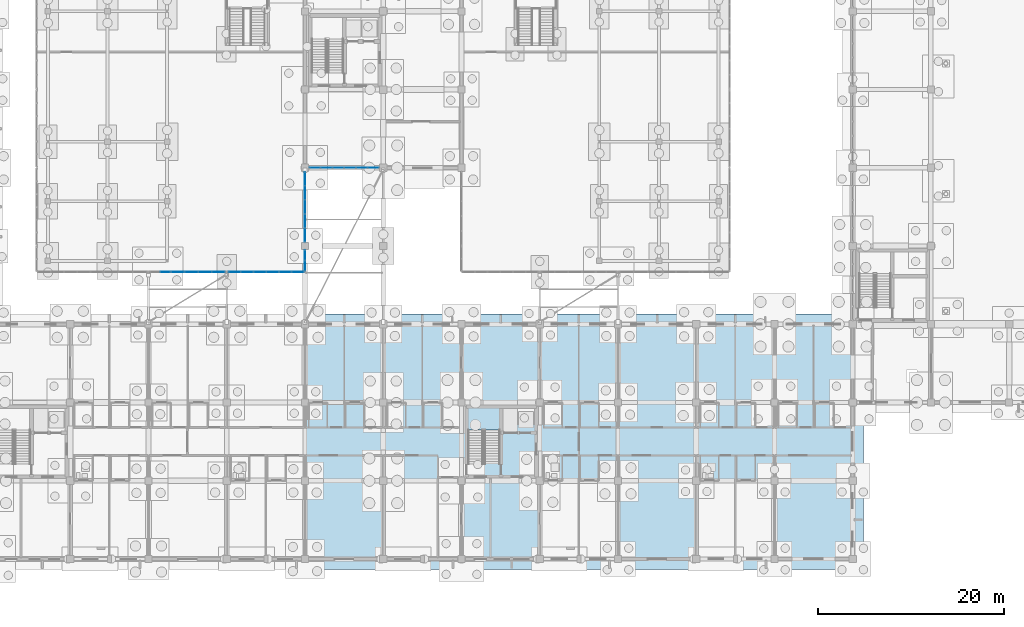
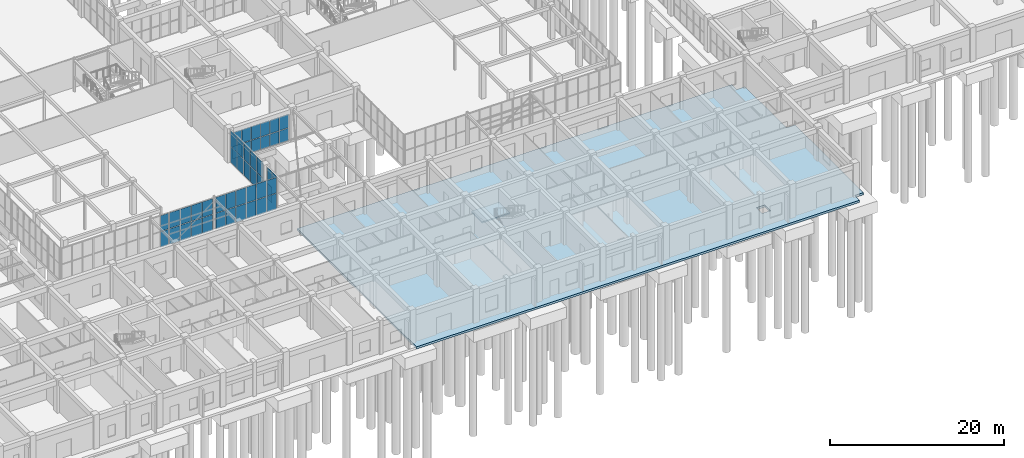
# One storey, part 137 of 192: 48 plates, 2 slabs, 7 elements without a shape of their own.
"""IFC4 building model written with IfcOpenShell, lengths in metres."""

from ifc_helpers import new_model, si_unit, direction, frame, origin, origin_2d, place, context, subcontext, project, spatial, polyline, rectangle, outline, extrude, material, layer, layer_set, type_object, element, aggregate, save


model = new_model("IFC4")

# Units and contexts
model_context = context("Model", 3, precision=1e-05, world=origin(), true_north=direction((0.0, 1.0)))
body_context = subcontext(model_context, "Body", "Model", "MODEL_VIEW")
ifc_project = project(units=[si_unit("LENGTHUNIT", "METRE"), si_unit("AREAUNIT", "SQUARE_METRE"), si_unit("VOLUMEUNIT", "CUBIC_METRE"), si_unit("PLANEANGLEUNIT", "RADIAN"), si_unit("MASSUNIT", "GRAM", prefix="KILO")], contexts=[model_context])

# Site, building, storey
site_placement = place(None, origin())
site = spatial("IfcSite", under=ifc_project, at=site_placement, CompositionType="ELEMENT")
building_placement = place(site_placement, origin())
building = spatial("IfcBuilding", under=site, at=building_placement, Name="Trelvath General Hospital", CompositionType="ELEMENT")
storey_placement = place(building_placement, origin())
storey = spatial("IfcBuildingStorey", under=building, at=storey_placement, Name="L00", CompositionType="ELEMENT", Elevation=0.0)

# Slab
ifc_material_1 = material(Name="Concrete C35/45", Category="concrete")
ifc_layer_1 = layer(ifc_material_1, 0.300048828125)
ifc_layer_set_1 = layer_set([ifc_layer_1], Name="Concrete C35/45")
slab_type_1 = type_object("IfcSlabType", Name="BaseSlab RC300", PredefinedType="BASESLAB", material=ifc_layer_set_1)
slab_1_placement = place(storey_placement, frame((0.0, 0.0, -0.300048828125)))
element("IfcSlab", 1, at=slab_1_placement, inside=storey, type_object=slab_type_1, Name="Floor Slab SL-L00-V6-S1", PredefinedType="BASESLAB", context=body_context, shape_type="SweptSolid", body=[
    extrude(outline(polyline([(75.6201171875, -1.10009765625), (75.6201171875, 26.300048828125), (133.280029296875, 26.300048828125), (133.280029296875, 25.199951171875), (134.3798828125, 25.199951171875), (134.3798828125, 16.780029296875), (134.39990234375, 16.780029296875), (134.39990234375, 15.679931640625), (135.550048828125, 15.679931640625), (135.550048828125, 0.0), (134.39990234375, 0.0), (134.39990234375, -1.10009765625), (75.6201171875, -1.10009765625)]), holes=[polyline([(123.39990234375, 2.199951171875), (124.5, 2.199951171875), (124.5, 3.5), (123.39990234375, 3.5), (123.39990234375, 2.199951171875)])]), origin(), (0.0, 0.0, 1.0), 0.300048828125),
])

# Curtain wall, plates
ifc_material_2 = material(Name="Anodised aluminium and low-E glass", Category="aluminium")
ifc_layer_2 = layer(ifc_material_2, 0.139892578125)
ifc_layer_set_2 = layer_set([ifc_layer_2], Name="Anodised aluminium and low-E glass")
curtain_wall_type_1 = type_object("IfcCurtainWallType", Name="CW CrystalCube 223 456 14", PredefinedType="USERDEFINED", material=ifc_layer_set_2)
curtain_wall_1_placement = place(storey_placement, origin())
curtain_wall_1 = element("IfcCurtainWall", 2, at=curtain_wall_1_placement, inside=storey, type_object=curtain_wall_type_1, Name="Crystal Cube Curtain Wall CUBE-W-T0 S3 L00", ObjectType="Unitised Glazed Curtain Wall", PredefinedType="USERDEFINED")
ifc_material_3 = material(Name="Low-E laminated glass", Category="glass")
ifc_layer_3 = layer(ifc_material_3, 0.028076171875)
ifc_layer_set_3 = layer_set([ifc_layer_3], Name="Low-E laminated glass")
plate_type_1 = type_object("IfcPlateType", Name="CurtainPanel Glass28", PredefinedType="CURTAIN_PANEL", material=ifc_layer_set_3)
plate_1_placement = place(storey_placement, frame((60.607421875, 30.800048828125, 0.06005859375), z_axis=(0.0, 0.0, 1.0), x_axis=(-1.0, 0.0, 0.0)))
plate_1 = element("IfcPlate", 3, at=plate_1_placement, type_object=plate_type_1, Name="CW-086 panel 1.1", PredefinedType="CURTAIN_PANEL", context=body_context, shape_type="SweptSolid", body=[
    extrude(rectangle(XDim=1.02490234375, YDim=0.028076171875, at=origin_2d()), origin(), (0.0, 0.0, 1.0), 2.18994140625),
])
plate_2_placement = place(storey_placement, frame((60.607421875, 30.800048828125, 2.31005859375), z_axis=(0.0, 0.0, 1.0), x_axis=(-1.0, 0.0, 0.0)))
plate_2 = element("IfcPlate", 4, at=plate_2_placement, type_object=plate_type_1, Name="CW-086 panel 1.2", PredefinedType="CURTAIN_PANEL", context=body_context, shape_type="SweptSolid", body=[
    extrude(rectangle(XDim=1.02490234375, YDim=0.028076171875, at=origin_2d()), origin(), (0.0, 0.0, 1.0), 2.18994140625),
])
aggregate(curtain_wall_1, [plate_1, plate_2])

ifc_material_4 = material(Name="Anodised aluminium and low-E glass", Category="aluminium")
ifc_layer_4 = layer(ifc_material_4, 0.139892578125)
ifc_layer_set_4 = layer_set([ifc_layer_4], Name="Anodised aluminium and low-E glass")
curtain_wall_type_2 = type_object("IfcCurtainWallType", Name="CW CrystalCube 583 456 14", PredefinedType="USERDEFINED", material=ifc_layer_set_4)
curtain_wall_2_placement = place(storey_placement, origin())
curtain_wall_2 = element("IfcCurtainWall", 5, at=curtain_wall_2_placement, inside=storey, type_object=curtain_wall_type_2, Name="Crystal Cube Curtain Wall CUBE-W-T0 S4 L00", ObjectType="Unitised Glazed Curtain Wall", PredefinedType="USERDEFINED")
plate_3_placement = place(storey_placement, frame((66.30615234375, 30.800048828125, 0.06005859375), z_axis=(0.0, 0.0, 1.0), x_axis=(-1.0, 0.0, 0.0)))
plate_3 = element("IfcPlate", 6, at=plate_3_placement, type_object=plate_type_1, Name="CW-087 panel 1.1", PredefinedType="CURTAIN_PANEL", context=body_context, shape_type="SweptSolid", body=[
    extrude(rectangle(XDim=1.367431640625, YDim=0.028076171875, at=origin_2d()), origin(), (0.0, 0.0, 1.0), 2.18994140625),
])
plate_4_placement = place(storey_placement, frame((66.30615234375, 30.800048828125, 2.31005859375), z_axis=(0.0, 0.0, 1.0), x_axis=(-1.0, 0.0, 0.0)))
plate_4 = element("IfcPlate", 7, at=plate_4_placement, type_object=plate_type_1, Name="CW-087 panel 1.2", PredefinedType="CURTAIN_PANEL", context=body_context, shape_type="SweptSolid", body=[
    extrude(rectangle(XDim=1.367431640625, YDim=0.028076171875, at=origin_2d()), origin(), (0.0, 0.0, 1.0), 2.18994140625),
])
plate_5_placement = place(storey_placement, frame((64.86376953125, 30.800048828125, 0.06005859375), z_axis=(0.0, 0.0, 1.0), x_axis=(-1.0, 0.0, 0.0)))
plate_5 = element("IfcPlate", 8, at=plate_5_placement, type_object=plate_type_1, Name="CW-087 panel 2.1", PredefinedType="CURTAIN_PANEL", context=body_context, shape_type="SweptSolid", body=[
    extrude(rectangle(XDim=1.3974609375, YDim=0.028076171875, at=origin_2d()), origin(), (0.0, 0.0, 1.0), 2.18994140625),
])
plate_6_placement = place(storey_placement, frame((64.86376953125, 30.800048828125, 2.31005859375), z_axis=(0.0, 0.0, 1.0), x_axis=(-1.0, 0.0, 0.0)))
plate_6 = element("IfcPlate", 9, at=plate_6_placement, type_object=plate_type_1, Name="CW-087 panel 2.2", PredefinedType="CURTAIN_PANEL", context=body_context, shape_type="SweptSolid", body=[
    extrude(rectangle(XDim=1.3974609375, YDim=0.028076171875, at=origin_2d()), origin(), (0.0, 0.0, 1.0), 2.18994140625),
])
plate_7_placement = place(storey_placement, frame((63.40625, 30.800048828125, 0.06005859375), z_axis=(0.0, 0.0, 1.0), x_axis=(-1.0, 0.0, 0.0)))
plate_7 = element("IfcPlate", 10, at=plate_7_placement, type_object=plate_type_1, Name="CW-087 panel 3.1", PredefinedType="CURTAIN_PANEL", context=body_context, shape_type="SweptSolid", body=[
    extrude(rectangle(XDim=1.3974609375, YDim=0.028076171875, at=origin_2d()), origin(), (0.0, 0.0, 1.0), 2.18994140625),
])
plate_8_placement = place(storey_placement, frame((63.40625, 30.800048828125, 2.31005859375), z_axis=(0.0, 0.0, 1.0), x_axis=(-1.0, 0.0, 0.0)))
plate_8 = element("IfcPlate", 11, at=plate_8_placement, type_object=plate_type_1, Name="CW-087 panel 3.2", PredefinedType="CURTAIN_PANEL", context=body_context, shape_type="SweptSolid", body=[
    extrude(rectangle(XDim=1.3974609375, YDim=0.028076171875, at=origin_2d()), origin(), (0.0, 0.0, 1.0), 2.18994140625),
])
plate_9_placement = place(storey_placement, frame((61.9638671875, 30.800048828125, 0.06005859375), z_axis=(0.0, 0.0, 1.0), x_axis=(-1.0, 0.0, 0.0)))
plate_9 = element("IfcPlate", 12, at=plate_9_placement, type_object=plate_type_1, Name="CW-087 panel 4.1", PredefinedType="CURTAIN_PANEL", context=body_context, shape_type="SweptSolid", body=[
    extrude(rectangle(XDim=1.367431640625, YDim=0.028076171875, at=origin_2d()), origin(), (0.0, 0.0, 1.0), 2.18994140625),
])
plate_10_placement = place(storey_placement, frame((61.9638671875, 30.800048828125, 2.31005859375), z_axis=(0.0, 0.0, 1.0), x_axis=(-1.0, 0.0, 0.0)))
plate_10 = element("IfcPlate", 13, at=plate_10_placement, type_object=plate_type_1, Name="CW-087 panel 4.2", PredefinedType="CURTAIN_PANEL", context=body_context, shape_type="SweptSolid", body=[
    extrude(rectangle(XDim=1.367431640625, YDim=0.028076171875, at=origin_2d()), origin(), (0.0, 0.0, 1.0), 2.18994140625),
])
aggregate(curtain_wall_2, [plate_3, plate_4, plate_5, plate_6, plate_7, plate_8, plate_9, plate_10])

ifc_material_5 = material(Name="Anodised aluminium and low-E glass", Category="aluminium")
ifc_layer_5 = layer(ifc_material_5, 0.139892578125)
ifc_layer_set_5 = layer_set([ifc_layer_5], Name="Anodised aluminium and low-E glass")
curtain_wall_type_3 = type_object("IfcCurtainWallType", Name="CW CrystalCube 817 456 14", PredefinedType="USERDEFINED", material=ifc_layer_set_5)
curtain_wall_3_placement = place(storey_placement, origin())
curtain_wall_3 = element("IfcCurtainWall", 14, at=curtain_wall_3_placement, inside=storey, type_object=curtain_wall_type_3, Name="Crystal Cube Curtain Wall CUBE-W-T0 S5 L00", ObjectType="Unitised Glazed Curtain Wall", PredefinedType="USERDEFINED")
plate_11_placement = place(storey_placement, frame((74.82421875, 30.800048828125, 0.06005859375), z_axis=(0.0, 0.0, 1.0), x_axis=(-1.0, 0.0, 0.0)))
plate_11 = element("IfcPlate", 15, at=plate_11_placement, type_object=plate_type_1, Name="CW-088 panel 1.1", PredefinedType="CURTAIN_PANEL", context=body_context, shape_type="SweptSolid", body=[
    extrude(rectangle(XDim=1.271728515625, YDim=0.028076171875, at=origin_2d()), origin(), (0.0, 0.0, 1.0), 2.18994140625),
])
plate_12_placement = place(storey_placement, frame((74.82421875, 30.800048828125, 2.31005859375), z_axis=(0.0, 0.0, 1.0), x_axis=(-1.0, 0.0, 0.0)))
plate_12 = element("IfcPlate", 16, at=plate_12_placement, type_object=plate_type_1, Name="CW-088 panel 1.2", PredefinedType="CURTAIN_PANEL", context=body_context, shape_type="SweptSolid", body=[
    extrude(rectangle(XDim=1.271728515625, YDim=0.028076171875, at=origin_2d()), origin(), (0.0, 0.0, 1.0), 2.18994140625),
])
plate_13_placement = place(storey_placement, frame((73.4775390625, 30.800048828125, 0.06005859375), z_axis=(0.0, 0.0, 1.0), x_axis=(-1.0, 0.0, 0.0)))
plate_13 = element("IfcPlate", 17, at=plate_13_placement, type_object=plate_type_1, Name="CW-088 panel 2.1", PredefinedType="CURTAIN_PANEL", context=body_context, shape_type="SweptSolid", body=[
    extrude(rectangle(XDim=1.3017578125, YDim=0.028076171875, at=origin_2d()), origin(), (0.0, 0.0, 1.0), 2.18994140625),
])
plate_14_placement = place(storey_placement, frame((73.4775390625, 30.800048828125, 2.31005859375), z_axis=(0.0, 0.0, 1.0), x_axis=(-1.0, 0.0, 0.0)))
plate_14 = element("IfcPlate", 18, at=plate_14_placement, type_object=plate_type_1, Name="CW-088 panel 2.2", PredefinedType="CURTAIN_PANEL", context=body_context, shape_type="SweptSolid", body=[
    extrude(rectangle(XDim=1.3017578125, YDim=0.028076171875, at=origin_2d()), origin(), (0.0, 0.0, 1.0), 2.18994140625),
])
plate_15_placement = place(storey_placement, frame((72.11572265625, 30.800048828125, 0.06005859375), z_axis=(0.0, 0.0, 1.0), x_axis=(-1.0, 0.0, 0.0)))
plate_15 = element("IfcPlate", 19, at=plate_15_placement, type_object=plate_type_1, Name="CW-088 panel 3.1", PredefinedType="CURTAIN_PANEL", context=body_context, shape_type="SweptSolid", body=[
    extrude(rectangle(XDim=1.3017578125, YDim=0.028076171875, at=origin_2d()), origin(), (0.0, 0.0, 1.0), 2.18994140625),
])
plate_16_placement = place(storey_placement, frame((72.11572265625, 30.800048828125, 2.31005859375), z_axis=(0.0, 0.0, 1.0), x_axis=(-1.0, 0.0, 0.0)))
plate_16 = element("IfcPlate", 20, at=plate_16_placement, type_object=plate_type_1, Name="CW-088 panel 3.2", PredefinedType="CURTAIN_PANEL", context=body_context, shape_type="SweptSolid", body=[
    extrude(rectangle(XDim=1.3017578125, YDim=0.028076171875, at=origin_2d()), origin(), (0.0, 0.0, 1.0), 2.18994140625),
])
plate_17_placement = place(storey_placement, frame((70.754150390625, 30.800048828125, 0.06005859375), z_axis=(0.0, 0.0, 1.0), x_axis=(-1.0, 0.0, 0.0)))
plate_17 = element("IfcPlate", 21, at=plate_17_placement, type_object=plate_type_1, Name="CW-088 panel 4.1", PredefinedType="CURTAIN_PANEL", context=body_context, shape_type="SweptSolid", body=[
    extrude(rectangle(XDim=1.3017578125, YDim=0.028076171875, at=origin_2d()), origin(), (0.0, 0.0, 1.0), 2.18994140625),
])
plate_18_placement = place(storey_placement, frame((70.754150390625, 30.800048828125, 2.31005859375), z_axis=(0.0, 0.0, 1.0), x_axis=(-1.0, 0.0, 0.0)))
plate_18 = element("IfcPlate", 22, at=plate_18_placement, type_object=plate_type_1, Name="CW-088 panel 4.2", PredefinedType="CURTAIN_PANEL", context=body_context, shape_type="SweptSolid", body=[
    extrude(rectangle(XDim=1.3017578125, YDim=0.028076171875, at=origin_2d()), origin(), (0.0, 0.0, 1.0), 2.18994140625),
])
plate_19_placement = place(storey_placement, frame((69.392578125, 30.800048828125, 0.06005859375), z_axis=(0.0, 0.0, 1.0), x_axis=(-1.0, 0.0, 0.0)))
plate_19 = element("IfcPlate", 23, at=plate_19_placement, type_object=plate_type_1, Name="CW-088 panel 5.1", PredefinedType="CURTAIN_PANEL", context=body_context, shape_type="SweptSolid", body=[
    extrude(rectangle(XDim=1.3017578125, YDim=0.028076171875, at=origin_2d()), origin(), (0.0, 0.0, 1.0), 2.18994140625),
])
plate_20_placement = place(storey_placement, frame((69.392578125, 30.800048828125, 2.31005859375), z_axis=(0.0, 0.0, 1.0), x_axis=(-1.0, 0.0, 0.0)))
plate_20 = element("IfcPlate", 24, at=plate_20_placement, type_object=plate_type_1, Name="CW-088 panel 5.2", PredefinedType="CURTAIN_PANEL", context=body_context, shape_type="SweptSolid", body=[
    extrude(rectangle(XDim=1.3017578125, YDim=0.028076171875, at=origin_2d()), origin(), (0.0, 0.0, 1.0), 2.18994140625),
])
plate_21_placement = place(storey_placement, frame((68.0458984375, 30.800048828125, 0.06005859375), z_axis=(0.0, 0.0, 1.0), x_axis=(-1.0, 0.0, 0.0)))
plate_21 = element("IfcPlate", 25, at=plate_21_placement, type_object=plate_type_1, Name="CW-088 panel 6.1", PredefinedType="CURTAIN_PANEL", context=body_context, shape_type="SweptSolid", body=[
    extrude(rectangle(XDim=1.271728515625, YDim=0.028076171875, at=origin_2d()), origin(), (0.0, 0.0, 1.0), 2.18994140625),
])
plate_22_placement = place(storey_placement, frame((68.0458984375, 30.800048828125, 2.31005859375), z_axis=(0.0, 0.0, 1.0), x_axis=(-1.0, 0.0, 0.0)))
plate_22 = element("IfcPlate", 26, at=plate_22_placement, type_object=plate_type_1, Name="CW-088 panel 6.2", PredefinedType="CURTAIN_PANEL", context=body_context, shape_type="SweptSolid", body=[
    extrude(rectangle(XDim=1.271728515625, YDim=0.028076171875, at=origin_2d()), origin(), (0.0, 0.0, 1.0), 2.18994140625),
])
aggregate(curtain_wall_3, [plate_11, plate_12, plate_13, plate_14, plate_15, plate_16, plate_17, plate_18, plate_19, plate_20, plate_21, plate_22])

ifc_material_6 = material(Name="Anodised aluminium and low-E glass", Category="aluminium")
ifc_layer_6 = layer(ifc_material_6, 0.139892578125)
ifc_layer_set_6 = layer_set([ifc_layer_6], Name="Anodised aluminium and low-E glass")
curtain_wall_type_4 = type_object("IfcCurtainWallType", Name="CW CrystalCube 231 456 14", PredefinedType="USERDEFINED", material=ifc_layer_set_6)
curtain_wall_4_placement = place(storey_placement, origin())
curtain_wall_4 = element("IfcCurtainWall", 27, at=curtain_wall_4_placement, inside=storey, type_object=curtain_wall_type_4, Name="Crystal Cube Curtain Wall CUBE-W-T0 E1 L00", ObjectType="Unitised Glazed Curtain Wall", PredefinedType="USERDEFINED")
plate_23_placement = place(storey_placement, frame((75.60009765625, 32.597412109375, 0.06005859375), z_axis=(0.0, 0.0, 1.0), x_axis=(0.0, -1.0, 0.0)))
plate_23 = element("IfcPlate", 28, at=plate_23_placement, type_object=plate_type_1, Name="CW-095 panel 1.1", PredefinedType="CURTAIN_PANEL", context=body_context, shape_type="SweptSolid", body=[
    extrude(rectangle(XDim=1.06494140625, YDim=0.028076171875, at=origin_2d()), origin(), (0.0, 0.0, 1.0), 2.18994140625),
])
plate_24_placement = place(storey_placement, frame((75.60009765625, 32.597412109375, 2.31005859375), z_axis=(0.0, 0.0, 1.0), x_axis=(0.0, -1.0, 0.0)))
plate_24 = element("IfcPlate", 29, at=plate_24_placement, type_object=plate_type_1, Name="CW-095 panel 1.2", PredefinedType="CURTAIN_PANEL", context=body_context, shape_type="SweptSolid", body=[
    extrude(rectangle(XDim=1.06494140625, YDim=0.028076171875, at=origin_2d()), origin(), (0.0, 0.0, 1.0), 2.18994140625),
])
plate_25_placement = place(storey_placement, frame((75.60009765625, 31.472412109375, 0.06005859375), z_axis=(0.0, 0.0, 1.0), x_axis=(0.0, -1.0, 0.0)))
plate_25 = element("IfcPlate", 30, at=plate_25_placement, type_object=plate_type_1, Name="CW-095 panel 2.1", PredefinedType="CURTAIN_PANEL", context=body_context, shape_type="SweptSolid", body=[
    extrude(rectangle(XDim=1.06494140625, YDim=0.028076171875, at=origin_2d()), origin(), (0.0, 0.0, 1.0), 2.18994140625),
])
plate_26_placement = place(storey_placement, frame((75.60009765625, 31.472412109375, 2.31005859375), z_axis=(0.0, 0.0, 1.0), x_axis=(0.0, -1.0, 0.0)))
plate_26 = element("IfcPlate", 31, at=plate_26_placement, type_object=plate_type_1, Name="CW-095 panel 2.2", PredefinedType="CURTAIN_PANEL", context=body_context, shape_type="SweptSolid", body=[
    extrude(rectangle(XDim=1.06494140625, YDim=0.028076171875, at=origin_2d()), origin(), (0.0, 0.0, 1.0), 2.18994140625),
])
aggregate(curtain_wall_4, [plate_23, plate_24, plate_25, plate_26])

ifc_material_7 = material(Name="Anodised aluminium and low-E glass", Category="aluminium")
ifc_layer_7 = layer(ifc_material_7, 0.139892578125)
ifc_layer_set_7 = layer_set([ifc_layer_7], Name="Anodised aluminium and low-E glass")
curtain_wall_type_5 = type_object("IfcCurtainWallType", Name="CW CrystalCube 758 456 14", PredefinedType="USERDEFINED", material=ifc_layer_set_7)
curtain_wall_5_placement = place(storey_placement, origin())
curtain_wall_5 = element("IfcCurtainWall", 32, at=curtain_wall_5_placement, inside=storey, type_object=curtain_wall_type_5, Name="Crystal Cube Curtain Wall CUBE-W-T0 E2 L00", ObjectType="Unitised Glazed Curtain Wall", PredefinedType="USERDEFINED")
plate_27_placement = place(storey_placement, frame((75.60009765625, 40.81689453125, 0.06005859375), z_axis=(0.0, 0.0, 1.0), x_axis=(0.0, -1.0, 0.0)))
plate_27 = element("IfcPlate", 33, at=plate_27_placement, type_object=plate_type_1, Name="CW-097 panel 1.1", PredefinedType="CURTAIN_PANEL", context=body_context, shape_type="SweptSolid", body=[
    extrude(rectangle(XDim=1.426025390625, YDim=0.028076171875, at=origin_2d()), origin(), (0.0, 0.0, 1.0), 2.18994140625),
])
plate_28_placement = place(storey_placement, frame((75.60009765625, 40.81689453125, 2.31005859375), z_axis=(0.0, 0.0, 1.0), x_axis=(0.0, -1.0, 0.0)))
plate_28 = element("IfcPlate", 34, at=plate_28_placement, type_object=plate_type_1, Name="CW-097 panel 1.2", PredefinedType="CURTAIN_PANEL", context=body_context, shape_type="SweptSolid", body=[
    extrude(rectangle(XDim=1.426025390625, YDim=0.028076171875, at=origin_2d()), origin(), (0.0, 0.0, 1.0), 2.18994140625),
])
plate_29_placement = place(storey_placement, frame((75.60009765625, 39.31591796875, 0.06005859375), z_axis=(0.0, 0.0, 1.0), x_axis=(0.0, -1.0, 0.0)))
plate_29 = element("IfcPlate", 35, at=plate_29_placement, type_object=plate_type_1, Name="CW-097 panel 2.1", PredefinedType="CURTAIN_PANEL", context=body_context, shape_type="SweptSolid", body=[
    extrude(rectangle(XDim=1.4560546875, YDim=0.028076171875, at=origin_2d()), origin(), (0.0, 0.0, 1.0), 2.18994140625),
])
plate_30_placement = place(storey_placement, frame((75.60009765625, 39.31591796875, 2.31005859375), z_axis=(0.0, 0.0, 1.0), x_axis=(0.0, -1.0, 0.0)))
plate_30 = element("IfcPlate", 36, at=plate_30_placement, type_object=plate_type_1, Name="CW-097 panel 2.2", PredefinedType="CURTAIN_PANEL", context=body_context, shape_type="SweptSolid", body=[
    extrude(rectangle(XDim=1.4560546875, YDim=0.028076171875, at=origin_2d()), origin(), (0.0, 0.0, 1.0), 2.18994140625),
])
plate_31_placement = place(storey_placement, frame((75.60009765625, 37.800048828125, 0.06005859375), z_axis=(0.0, 0.0, 1.0), x_axis=(0.0, -1.0, 0.0)))
plate_31 = element("IfcPlate", 37, at=plate_31_placement, type_object=plate_type_1, Name="CW-097 panel 3.1", PredefinedType="CURTAIN_PANEL", context=body_context, shape_type="SweptSolid", body=[
    extrude(rectangle(XDim=1.4560546875, YDim=0.028076171875, at=origin_2d()), origin(), (0.0, 0.0, 1.0), 2.18994140625),
])
plate_32_placement = place(storey_placement, frame((75.60009765625, 37.800048828125, 2.31005859375), z_axis=(0.0, 0.0, 1.0), x_axis=(0.0, -1.0, 0.0)))
plate_32 = element("IfcPlate", 38, at=plate_32_placement, type_object=plate_type_1, Name="CW-097 panel 3.2", PredefinedType="CURTAIN_PANEL", context=body_context, shape_type="SweptSolid", body=[
    extrude(rectangle(XDim=1.4560546875, YDim=0.028076171875, at=origin_2d()), origin(), (0.0, 0.0, 1.0), 2.18994140625),
])
plate_33_placement = place(storey_placement, frame((75.60009765625, 36.283935546875, 0.06005859375), z_axis=(0.0, 0.0, 1.0), x_axis=(0.0, -1.0, 0.0)))
plate_33 = element("IfcPlate", 39, at=plate_33_placement, type_object=plate_type_1, Name="CW-097 panel 4.1", PredefinedType="CURTAIN_PANEL", context=body_context, shape_type="SweptSolid", body=[
    extrude(rectangle(XDim=1.4560546875, YDim=0.028076171875, at=origin_2d()), origin(), (0.0, 0.0, 1.0), 2.18994140625),
])
plate_34_placement = place(storey_placement, frame((75.60009765625, 36.283935546875, 2.31005859375), z_axis=(0.0, 0.0, 1.0), x_axis=(0.0, -1.0, 0.0)))
plate_34 = element("IfcPlate", 40, at=plate_34_placement, type_object=plate_type_1, Name="CW-097 panel 4.2", PredefinedType="CURTAIN_PANEL", context=body_context, shape_type="SweptSolid", body=[
    extrude(rectangle(XDim=1.4560546875, YDim=0.028076171875, at=origin_2d()), origin(), (0.0, 0.0, 1.0), 2.18994140625),
])
plate_35_placement = place(storey_placement, frame((75.60009765625, 34.782958984375, 0.06005859375), z_axis=(0.0, 0.0, 1.0), x_axis=(0.0, -1.0, 0.0)))
plate_35 = element("IfcPlate", 41, at=plate_35_placement, type_object=plate_type_1, Name="CW-097 panel 5.1", PredefinedType="CURTAIN_PANEL", context=body_context, shape_type="SweptSolid", body=[
    extrude(rectangle(XDim=1.426025390625, YDim=0.028076171875, at=origin_2d()), origin(), (0.0, 0.0, 1.0), 2.18994140625),
])
plate_36_placement = place(storey_placement, frame((75.60009765625, 34.782958984375, 2.31005859375), z_axis=(0.0, 0.0, 1.0), x_axis=(0.0, -1.0, 0.0)))
plate_36 = element("IfcPlate", 42, at=plate_36_placement, type_object=plate_type_1, Name="CW-097 panel 5.2", PredefinedType="CURTAIN_PANEL", context=body_context, shape_type="SweptSolid", body=[
    extrude(rectangle(XDim=1.426025390625, YDim=0.028076171875, at=origin_2d()), origin(), (0.0, 0.0, 1.0), 2.18994140625),
])
aggregate(curtain_wall_5, [plate_27, plate_28, plate_29, plate_30, plate_31, plate_32, plate_33, plate_34, plate_35, plate_36])

ifc_material_8 = material(Name="Anodised aluminium and low-E glass", Category="aluminium")
ifc_layer_8 = layer(ifc_material_8, 0.159912109375)
ifc_layer_set_8 = layer_set([ifc_layer_8], Name="Anodised aluminium and low-E glass")
curtain_wall_type_6 = type_object("IfcCurtainWallType", Name="CW Facade 753 382 16", PredefinedType="USERDEFINED", material=ifc_layer_set_8)
curtain_wall_6_placement = place(storey_placement, origin())
curtain_wall_6 = element("IfcCurtainWall", 43, at=curtain_wall_6_placement, inside=storey, type_object=curtain_wall_type_6, Name="Facade Curtain Wall CW-001", ObjectType="Unitised Glazed Curtain Wall", PredefinedType="USERDEFINED")
ifc_material_9 = material(Name="Low-E laminated glass", Category="glass")
ifc_layer_9 = layer(ifc_material_9, 0.035888671875)
ifc_layer_set_9 = layer_set([ifc_layer_9], Name="Low-E laminated glass")
plate_type_2 = type_object("IfcPlateType", Name="CurtainPanel Glass36", PredefinedType="CURTAIN_PANEL", material=ifc_layer_set_9)
plate_37_placement = place(storey_placement, frame((82.922607421875, 42.0, 0.06005859375), z_axis=(0.0, 0.0, 1.0), x_axis=(-1.0, 0.0, 0.0)))
plate_37 = element("IfcPlate", 44, at=plate_37_placement, type_object=plate_type_2, Name="CW-001 panel 1.1", PredefinedType="CURTAIN_PANEL", context=body_context, shape_type="SweptSolid", body=[
    extrude(rectangle(XDim=1.1650390625, YDim=0.035888671875, at=origin_2d()), origin(), (0.0, 0.0, 1.0), 1.743896484375),
])
plate_38_placement = place(storey_placement, frame((82.922607421875, 42.0, 1.864013671875), z_axis=(0.0, 0.0, 1.0), x_axis=(-1.0, 0.0, 0.0)))
plate_38 = element("IfcPlate", 45, at=plate_38_placement, type_object=plate_type_2, Name="CW-001 panel 1.2", PredefinedType="CURTAIN_PANEL", context=body_context, shape_type="SweptSolid", body=[
    extrude(rectangle(XDim=1.1650390625, YDim=0.035888671875, at=origin_2d()), origin(), (0.0, 0.0, 1.0), 1.89599609375),
])
plate_39_placement = place(storey_placement, frame((81.6826171875, 42.0, 0.06005859375), z_axis=(0.0, 0.0, 1.0), x_axis=(-1.0, 0.0, 0.0)))
plate_39 = element("IfcPlate", 46, at=plate_39_placement, type_object=plate_type_2, Name="CW-001 panel 2.1", PredefinedType="CURTAIN_PANEL", context=body_context, shape_type="SweptSolid", body=[
    extrude(rectangle(XDim=1.195068359375, YDim=0.035888671875, at=origin_2d()), origin(), (0.0, 0.0, 1.0), 1.743896484375),
])
plate_40_placement = place(storey_placement, frame((81.6826171875, 42.0, 1.864013671875), z_axis=(0.0, 0.0, 1.0), x_axis=(-1.0, 0.0, 0.0)))
plate_40 = element("IfcPlate", 47, at=plate_40_placement, type_object=plate_type_2, Name="CW-001 panel 2.2", PredefinedType="CURTAIN_PANEL", context=body_context, shape_type="SweptSolid", body=[
    extrude(rectangle(XDim=1.195068359375, YDim=0.035888671875, at=origin_2d()), origin(), (0.0, 0.0, 1.0), 1.89599609375),
])
plate_41_placement = place(storey_placement, frame((80.427490234375, 42.0, 0.06005859375), z_axis=(0.0, 0.0, 1.0), x_axis=(-1.0, 0.0, 0.0)))
plate_41 = element("IfcPlate", 48, at=plate_41_placement, type_object=plate_type_2, Name="CW-001 panel 3.1", PredefinedType="CURTAIN_PANEL", context=body_context, shape_type="SweptSolid", body=[
    extrude(rectangle(XDim=1.195068359375, YDim=0.035888671875, at=origin_2d()), origin(), (0.0, 0.0, 1.0), 1.743896484375),
])
plate_42_placement = place(storey_placement, frame((80.427490234375, 42.0, 1.864013671875), z_axis=(0.0, 0.0, 1.0), x_axis=(-1.0, 0.0, 0.0)))
plate_42 = element("IfcPlate", 49, at=plate_42_placement, type_object=plate_type_2, Name="CW-001 panel 3.2", PredefinedType="CURTAIN_PANEL", context=body_context, shape_type="SweptSolid", body=[
    extrude(rectangle(XDim=1.195068359375, YDim=0.035888671875, at=origin_2d()), origin(), (0.0, 0.0, 1.0), 1.89599609375),
])
plate_43_placement = place(storey_placement, frame((79.172607421875, 42.0, 0.06005859375), z_axis=(0.0, 0.0, 1.0), x_axis=(-1.0, 0.0, 0.0)))
plate_43 = element("IfcPlate", 50, at=plate_43_placement, type_object=plate_type_2, Name="CW-001 panel 4.1", PredefinedType="CURTAIN_PANEL", context=body_context, shape_type="SweptSolid", body=[
    extrude(rectangle(XDim=1.195068359375, YDim=0.035888671875, at=origin_2d()), origin(), (0.0, 0.0, 1.0), 1.743896484375),
])
plate_44_placement = place(storey_placement, frame((79.172607421875, 42.0, 1.864013671875), z_axis=(0.0, 0.0, 1.0), x_axis=(-1.0, 0.0, 0.0)))
plate_44 = element("IfcPlate", 51, at=plate_44_placement, type_object=plate_type_2, Name="CW-001 panel 4.2", PredefinedType="CURTAIN_PANEL", context=body_context, shape_type="SweptSolid", body=[
    extrude(rectangle(XDim=1.195068359375, YDim=0.035888671875, at=origin_2d()), origin(), (0.0, 0.0, 1.0), 1.89599609375),
])
plate_45_placement = place(storey_placement, frame((77.91748046875, 42.0, 0.06005859375), z_axis=(0.0, 0.0, 1.0), x_axis=(-1.0, 0.0, 0.0)))
plate_45 = element("IfcPlate", 52, at=plate_45_placement, type_object=plate_type_2, Name="CW-001 panel 5.1", PredefinedType="CURTAIN_PANEL", context=body_context, shape_type="SweptSolid", body=[
    extrude(rectangle(XDim=1.195068359375, YDim=0.035888671875, at=origin_2d()), origin(), (0.0, 0.0, 1.0), 1.743896484375),
])
plate_46_placement = place(storey_placement, frame((77.91748046875, 42.0, 1.864013671875), z_axis=(0.0, 0.0, 1.0), x_axis=(-1.0, 0.0, 0.0)))
plate_46 = element("IfcPlate", 53, at=plate_46_placement, type_object=plate_type_2, Name="CW-001 panel 5.2", PredefinedType="CURTAIN_PANEL", context=body_context, shape_type="SweptSolid", body=[
    extrude(rectangle(XDim=1.195068359375, YDim=0.035888671875, at=origin_2d()), origin(), (0.0, 0.0, 1.0), 1.89599609375),
])
plate_47_placement = place(storey_placement, frame((76.677490234375, 42.0, 0.06005859375), z_axis=(0.0, 0.0, 1.0), x_axis=(-1.0, 0.0, 0.0)))
plate_47 = element("IfcPlate", 54, at=plate_47_placement, type_object=plate_type_2, Name="CW-001 panel 6.1", PredefinedType="CURTAIN_PANEL", context=body_context, shape_type="SweptSolid", body=[
    extrude(rectangle(XDim=1.1650390625, YDim=0.035888671875, at=origin_2d()), origin(), (0.0, 0.0, 1.0), 1.743896484375),
])
plate_48_placement = place(storey_placement, frame((76.677490234375, 42.0, 1.864013671875), z_axis=(0.0, 0.0, 1.0), x_axis=(-1.0, 0.0, 0.0)))
plate_48 = element("IfcPlate", 55, at=plate_48_placement, type_object=plate_type_2, Name="CW-001 panel 6.2", PredefinedType="CURTAIN_PANEL", context=body_context, shape_type="SweptSolid", body=[
    extrude(rectangle(XDim=1.1650390625, YDim=0.035888671875, at=origin_2d()), origin(), (0.0, 0.0, 1.0), 1.89599609375),
])
aggregate(curtain_wall_6, [plate_37, plate_38, plate_39, plate_40, plate_41, plate_42, plate_43, plate_44, plate_45, plate_46, plate_47, plate_48])

# Stair, slab
ifc_material_10 = material(Name="Concrete C35/45", Category="concrete")
stair_type = type_object("IfcStairType", Name="Stair Stretcher480", PredefinedType="TWO_STRAIGHT_RUN_STAIR", material=ifc_material_10)
stair_placement = place(storey_placement, origin())
stair = element("IfcStair", 56, at=stair_placement, inside=storey, type_object=stair_type, Name="Exit Stair ST5 L00", PredefinedType="TWO_STRAIGHT_RUN_STAIR")
ifc_material_11 = material(Name="Concrete C35/45", Category="concrete")
ifc_layer_10 = layer(ifc_material_11, 0.199951171875)
ifc_layer_set_10 = layer_set([ifc_layer_10], Name="Concrete C35/45")
slab_type_2 = type_object("IfcSlabType", Name="StairLanding 200", PredefinedType="LANDING", material=ifc_layer_set_10)
slab_2_placement = place(storey_placement, frame((0.0, 0.0, 2.199951171875)))
slab_2 = element("IfcSlab", 57, at=slab_2_placement, type_object=slab_type_2, Name="ST5-L00 landing 1", PredefinedType="LANDING", context=body_context, shape_type="SweptSolid", body=[
    extrude(outline(polyline([(92.9599609375, 13.840087890625), (96.639892578125, 13.840087890625), (96.639892578125, 16.340087890625), (92.9599609375, 16.340087890625), (92.9599609375, 13.840087890625)])), origin(), (0.0, 0.0, 1.0), 0.199951171875),
])
aggregate(stair, [slab_2])

save(model, "model.ifc")
